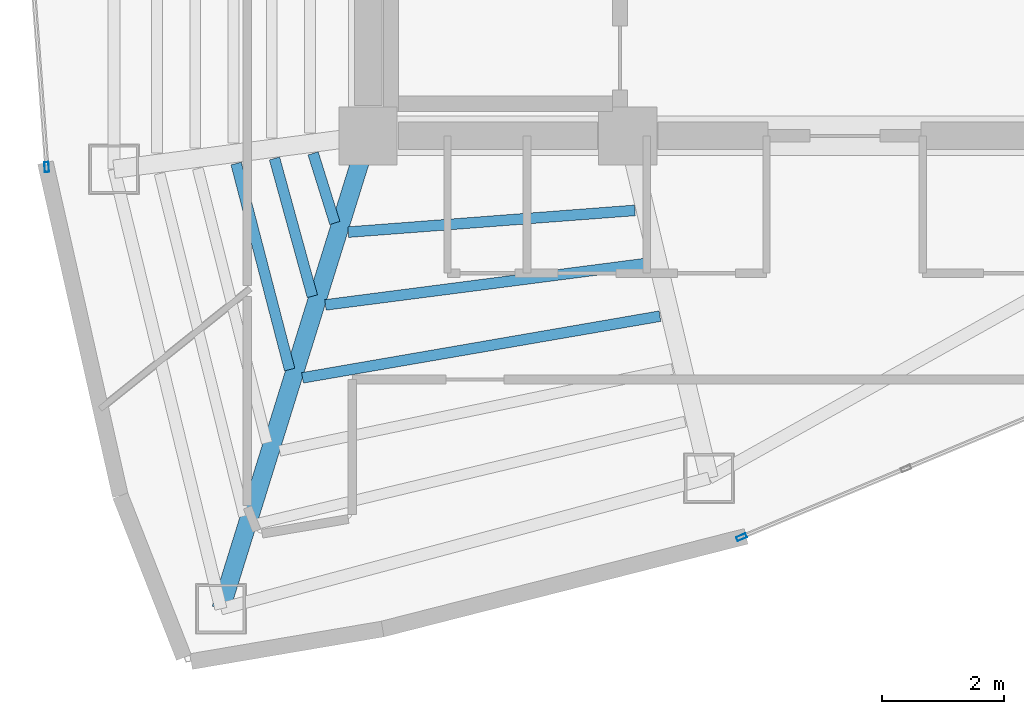
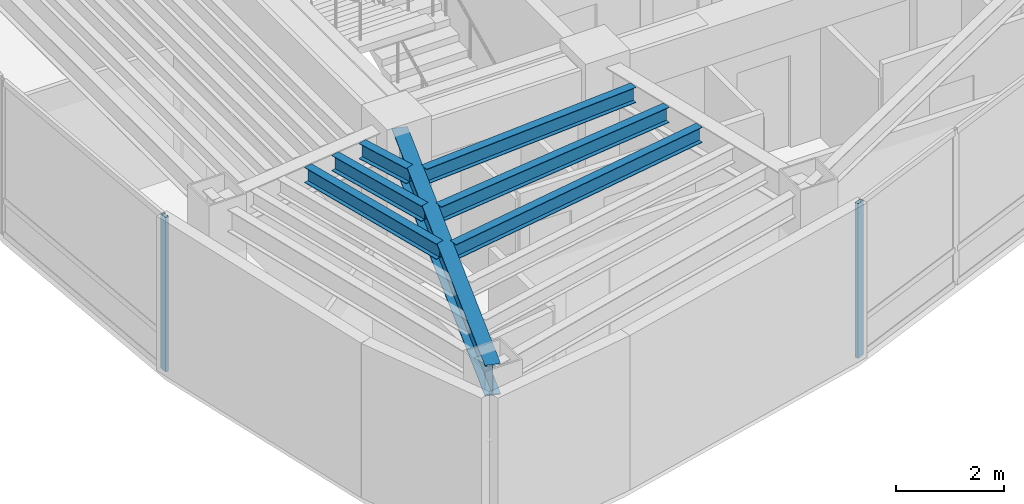
# One storey, part 2 of 15: 7 beams, 2 members, 2 elements without a shape of their own.
"""IFC4 building model written with IfcOpenShell, lengths in metres."""

from ifc_helpers import new_model, si_unit, direction, frame, origin, origin_2d, place, context, subcontext, project, spatial, hollow_rectangle, i_section, extrude, material, layer, layer_set, material_profile, profile_set, type_object, element, aggregate, save


model = new_model("IFC4")

# Units and contexts
model_context = context("Model", 3, precision=1e-05, world=origin(), true_north=direction((0.0, 1.0)))
body_context = subcontext(model_context, "Body", "Model", "MODEL_VIEW")
ifc_project = project(units=[si_unit("LENGTHUNIT", "METRE"), si_unit("AREAUNIT", "SQUARE_METRE"), si_unit("VOLUMEUNIT", "CUBIC_METRE"), si_unit("PLANEANGLEUNIT", "RADIAN"), si_unit("MASSUNIT", "GRAM", prefix="KILO")], contexts=[model_context])

# Site, building, storey
site_placement = place(None, origin())
site = spatial("IfcSite", under=ifc_project, at=site_placement, CompositionType="ELEMENT")
building_placement = place(site_placement, origin())
building = spatial("IfcBuilding", under=site, at=building_placement, Name="Menara Vayukalpa", CompositionType="ELEMENT")
storey_placement = place(building_placement, frame((0.0, 0.0, 262.02001953125)))
storey = spatial("IfcBuildingStorey", under=building, at=storey_placement, Name="L66", CompositionType="ELEMENT", Elevation=262.02001953125)

# Beams
ifc_material_1 = material(Name="Steel S355", Category="steel")
ifc_material_profile_1 = material_profile(ifc_material_1, i_section(OverallWidth=0.300048828125, OverallDepth=0.699951171875, WebThickness=0.012939453125, FlangeThickness=0.02392578125, at=origin_2d()), Name="WF 700x300x13x24")
ifc_profile_set_1 = profile_set([ifc_material_profile_1], Name="Steel S355")
beam_type_1 = type_object("IfcBeamType", Name="BM-PG5", PredefinedType="BEAM", material=ifc_profile_set_1)
beam_1_placement = place(storey_placement, frame((17.7255859375, 16.961181640625, 3.14990234375), z_axis=(-0.297213792842, -0.954810955815, 0.0), x_axis=(0.954810955815, -0.297213792842, 0.0)))
element("IfcBeam", 1, at=beam_1_placement, inside=storey, type_object=beam_type_1, Name="L66 Primary Radial Girder RG07", PredefinedType="BEAM", context=body_context, shape_type="SweptSolid", body=[
    extrude(i_section(OverallWidth=0.300048828125, OverallDepth=0.699951171875, WebThickness=0.012939453125, FlangeThickness=0.02392578125, at=origin_2d()), origin(), (0.0, 0.0, 1.0), 7.861083984375),
])
ifc_material_2 = material(Name="Steel S355", Category="steel")
ifc_material_profile_2 = material_profile(ifc_material_2, i_section(OverallWidth=0.175048828125, OverallDepth=0.35009765625, WebThickness=0.007080078125, FlangeThickness=0.010986328125, at=origin_2d()), Name="WF 350x175x7x11")
ifc_profile_set_2 = profile_set([ifc_material_profile_2], Name="Steel S355")
beam_type_2 = type_object("IfcBeamType", Name="BM-SJ3", PredefinedType="JOIST", material=ifc_profile_set_2)
beam_2_placement = place(storey_placement, frame((16.8984375, 16.91259765625, 3.324951171875), z_axis=(0.298018933644, -0.954559958929, 0.0), x_axis=(0.954559958929, 0.298018933644, 0.0)))
element("IfcBeam", 2, at=beam_2_placement, inside=storey, type_object=beam_type_2, Name="L66 Secondary Floor Joist SJ06-1", PredefinedType="JOIST", context=body_context, shape_type="SweptSolid", body=[
    extrude(i_section(OverallWidth=0.175048828125, OverallDepth=0.35009765625, WebThickness=0.007080078125, FlangeThickness=0.010986328125, at=origin_2d()), origin(), (0.0, 0.0, 1.0), 1.1943359375),
])
beam_3_placement = place(storey_placement, frame((16.2666015625, 16.82861328125, 3.324951171875), z_axis=(0.264918721837, -0.9642707456, 0.0), x_axis=(0.9642707456, 0.264918721837, 0.0)))
element("IfcBeam", 3, at=beam_3_placement, inside=storey, type_object=beam_type_2, Name="L66 Secondary Floor Joist SJ06-2", PredefinedType="JOIST", context=body_context, shape_type="SweptSolid", body=[
    extrude(i_section(OverallWidth=0.175048828125, OverallDepth=0.35009765625, WebThickness=0.007080078125, FlangeThickness=0.010986328125, at=origin_2d()), origin(), (0.0, 0.0, 1.0), 2.3388671875),
])
beam_4_placement = place(storey_placement, frame((15.63818359375, 16.745849609375, 3.324951171875), z_axis=(0.251492114719, -0.96785934734, 0.0), x_axis=(0.96785934734, 0.251492114719, 0.0)))
element("IfcBeam", 4, at=beam_4_placement, inside=storey, type_object=beam_type_2, Name="L66 Secondary Floor Joist SJ06-3", PredefinedType="JOIST", context=body_context, shape_type="SweptSolid", body=[
    extrude(i_section(OverallWidth=0.175048828125, OverallDepth=0.35009765625, WebThickness=0.007080078125, FlangeThickness=0.010986328125, at=origin_2d()), origin(), (0.0, 0.0, 1.0), 3.485107421875),
])
beam_5_placement = place(storey_placement, frame((17.474609375, 15.623046875, 3.324951171875), z_axis=(0.997135697669, 0.075633328852, 0.0), x_axis=(-0.075633328852, 0.997135697669, 0.0)))
element("IfcBeam", 5, at=beam_5_placement, inside=storey, type_object=beam_type_2, Name="L66 Secondary Floor Joist SJ07-1", PredefinedType="JOIST", context=body_context, shape_type="SweptSolid", body=[
    extrude(i_section(OverallWidth=0.175048828125, OverallDepth=0.35009765625, WebThickness=0.007080078125, FlangeThickness=0.010986328125, at=origin_2d()), origin(), (0.0, 0.0, 1.0), 4.706298828125),
])
beam_6_placement = place(storey_placement, frame((17.099853515625, 14.43115234375, 3.324951171875), z_axis=(0.991763759233, 0.128080622546, 0.0), x_axis=(-0.128080622546, 0.991763759233, 0.0)))
element("IfcBeam", 6, at=beam_6_placement, inside=storey, type_object=beam_type_2, Name="L66 Secondary Floor Joist SJ07-2", PredefinedType="JOIST", context=body_context, shape_type="SweptSolid", body=[
    extrude(i_section(OverallWidth=0.175048828125, OverallDepth=0.35009765625, WebThickness=0.007080078125, FlangeThickness=0.010986328125, at=origin_2d()), origin(), (0.0, 0.0, 1.0), 5.316162109375),
])
beam_7_placement = place(storey_placement, frame((16.724853515625, 13.2373046875, 3.324951171875), z_axis=(0.985440172071, 0.170022549294, 0.0), x_axis=(-0.170022549294, 0.985440172071, 0.0)))
element("IfcBeam", 7, at=beam_7_placement, inside=storey, type_object=beam_type_2, Name="L66 Secondary Floor Joist SJ07-3", PredefinedType="JOIST", context=body_context, shape_type="SweptSolid", body=[
    extrude(i_section(OverallWidth=0.175048828125, OverallDepth=0.35009765625, WebThickness=0.007080078125, FlangeThickness=0.010986328125, at=origin_2d()), origin(), (0.0, 0.0, 1.0), 5.93896484375),
])

# Curtain wall, member
ifc_material_3 = material(Name="Anodised Terracotta Aluminium Alloy 6063-T6", Category="masonry")
ifc_layer = layer(ifc_material_3, 0.1650390625)
ifc_layer_set = layer_set([ifc_layer], Name="Anodised Terracotta Aluminium Alloy 6063-T6")
curtain_wall_type = type_object("IfcCurtainWallType", Name="CW-CW6", PredefinedType="USERDEFINED", material=ifc_layer_set)
curtain_wall_1_placement = place(storey_placement, origin())
curtain_wall_1 = element("IfcCurtainWall", 8, at=curtain_wall_1_placement, inside=storey, type_object=curtain_wall_type, Name="L66 Observation and Executive Curtain Wall CW6 11", ObjectType="UNITISED", PredefinedType="USERDEFINED")
ifc_material_4 = material(Name="Anodised Terracotta Aluminium Alloy 6063-T6", Category="masonry")
ifc_material_profile_3 = material_profile(ifc_material_4, hollow_rectangle(XDim=0.070068359375, YDim=0.1650390625, WallThickness=0.00390625, at=origin_2d()), Name="ALU 70x165x4")
ifc_profile_set_3 = profile_set([ifc_material_profile_3], Name="Anodised Terracotta Aluminium Alloy 6063-T6")
member_type = type_object("IfcMemberType", Name="CWM-CW6", PredefinedType="MULLION", material=ifc_profile_set_3)
member_1_placement = place(storey_placement, frame((12.536376953125, 16.688232421875, 0.0), z_axis=(0.0, 0.0, 1.0), x_axis=(0.997199344663, 0.074789484574, 0.0)))
member_1 = element("IfcMember", 9, at=member_1_placement, type_object=member_type, Name="CW6 mullion 2", PredefinedType="MULLION", context=body_context, shape_type="SweptSolid", body=[
    extrude(hollow_rectangle(XDim=0.070068359375, YDim=0.1650390625, WallThickness=0.00390625, at=origin_2d()), origin(), (0.0, 0.0, 1.0), 3.5),
])
aggregate(curtain_wall_1, [member_1])

curtain_wall_2_placement = place(storey_placement, origin())
curtain_wall_2 = element("IfcCurtainWall", 10, at=curtain_wall_2_placement, inside=storey, type_object=curtain_wall_type, Name="L66 Observation and Executive Curtain Wall CW6 16", ObjectType="UNITISED", PredefinedType="USERDEFINED")
member_2_placement = place(storey_placement, frame((23.913330078125, 10.62841796875, 0.0), z_axis=(0.0, 0.0, 1.0), x_axis=(-0.385899911703, 0.922540653927, 0.0)))
member_2 = element("IfcMember", 11, at=member_2_placement, type_object=member_type, Name="CW6 mullion 1", PredefinedType="MULLION", context=body_context, shape_type="SweptSolid", body=[
    extrude(hollow_rectangle(XDim=0.070068359375, YDim=0.1650390625, WallThickness=0.00390625, at=origin_2d()), origin(), (0.0, 0.0, 1.0), 3.5),
])
aggregate(curtain_wall_2, [member_2])

save(model, "model.ifc")
